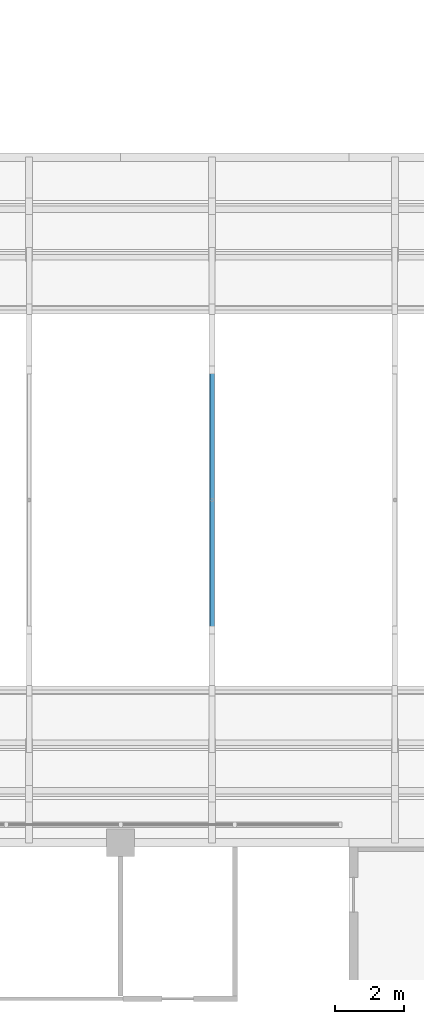
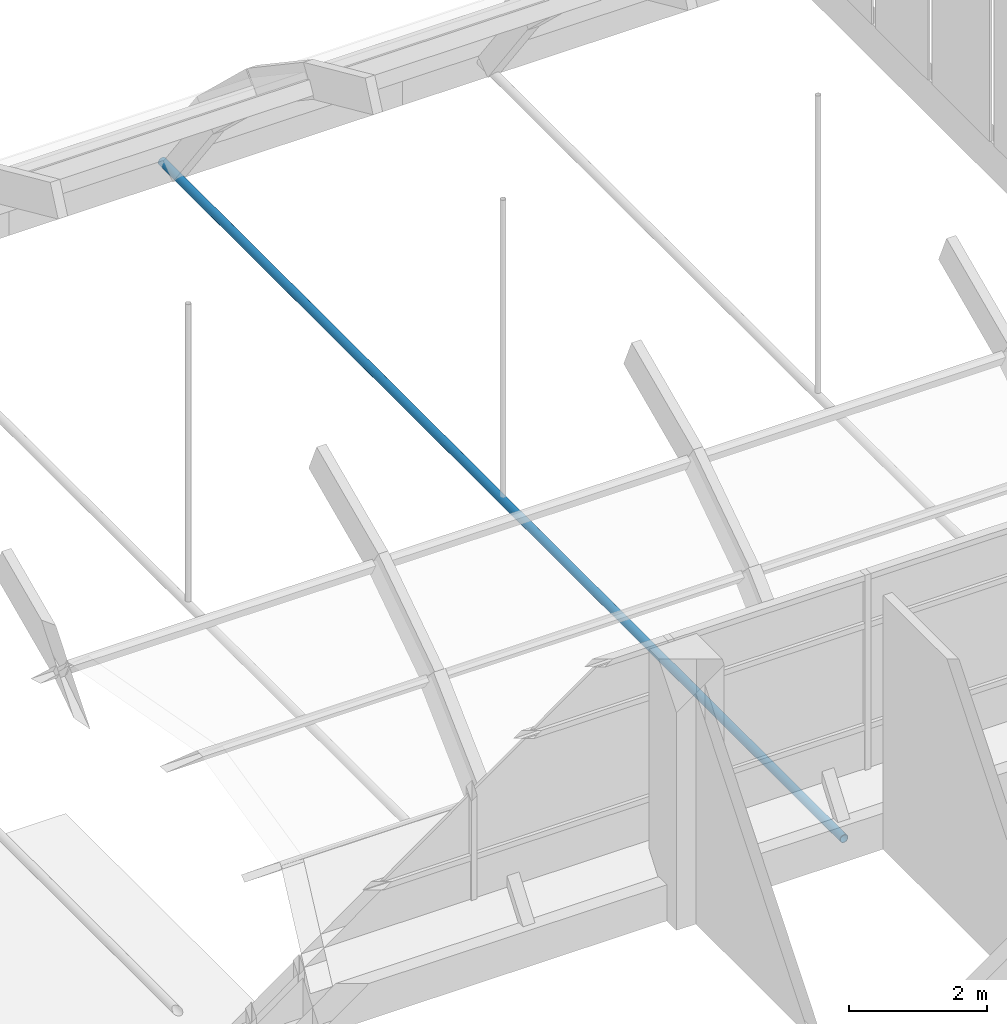
# One storey, part 25 of 102: 1 member.
"""IFC4 building model written with IfcOpenShell, lengths in metres."""

from ifc_helpers import new_model, si_unit, direction, frame, origin, origin_2d, place, context, subcontext, project, spatial, hollow_circle, extrude, material, material_profile, profile_set, type_object, element, save


model = new_model("IFC4")

# Units and contexts
model_context = context("Model", 3, precision=1e-05, world=origin(), true_north=direction((0.0, 1.0)))
body_context = subcontext(model_context, "Body", "Model", "MODEL_VIEW")
ifc_project = project(units=[si_unit("LENGTHUNIT", "METRE"), si_unit("AREAUNIT", "SQUARE_METRE"), si_unit("VOLUMEUNIT", "CUBIC_METRE"), si_unit("PLANEANGLEUNIT", "RADIAN"), si_unit("MASSUNIT", "GRAM", prefix="KILO")], contexts=[model_context])

# Site, building, storey
site_placement = place(None, origin())
site = spatial("IfcSite", under=ifc_project, at=site_placement, CompositionType="ELEMENT")
building_placement = place(site_placement, origin())
building = spatial("IfcBuilding", under=site, at=building_placement, Name="Lantern Court Research Institute", CompositionType="ELEMENT")
storey_placement = place(building_placement, frame((0.0, 0.0, 9.89990234375)))
storey = spatial("IfcBuildingStorey", under=building, at=storey_placement, Name="L02", CompositionType="ELEMENT", Elevation=9.89990234375)

# Member
ifc_material = material(Name="Structural steel S355", Category="steel")
ifc_material_profile = material_profile(ifc_material, hollow_circle(Radius=0.06982421875, WallThickness=0.008056640625, at=origin_2d()), Name="Gridshell tie CHS 139.7 x 8")
ifc_profile_set = profile_set([ifc_material_profile], Name="Structural steel S355")
member_type = type_object("IfcMemberType", Name="Gridshell tie CHS 139.7 x 8", PredefinedType="MEMBER", material=ifc_profile_set)
member_placement = place(storey_placement, frame((68.639892578125, 56.10009765625, 0.320068359375), z_axis=(0.0, 1.0, 0.0), x_axis=(-1.0, 0.0, 0.0)))
element("IfcMember", 1, at=member_placement, inside=storey, type_object=member_type, Name="Theatre tie", PredefinedType="MEMBER", context=body_context, shape_type="SweptSolid", body=[
    extrude(hollow_circle(Radius=0.06982421875, WallThickness=0.008056640625, at=origin_2d()), origin(), (0.0, 0.0, 1.0), 19.7998046875),
])

save(model, "model.ifc")
